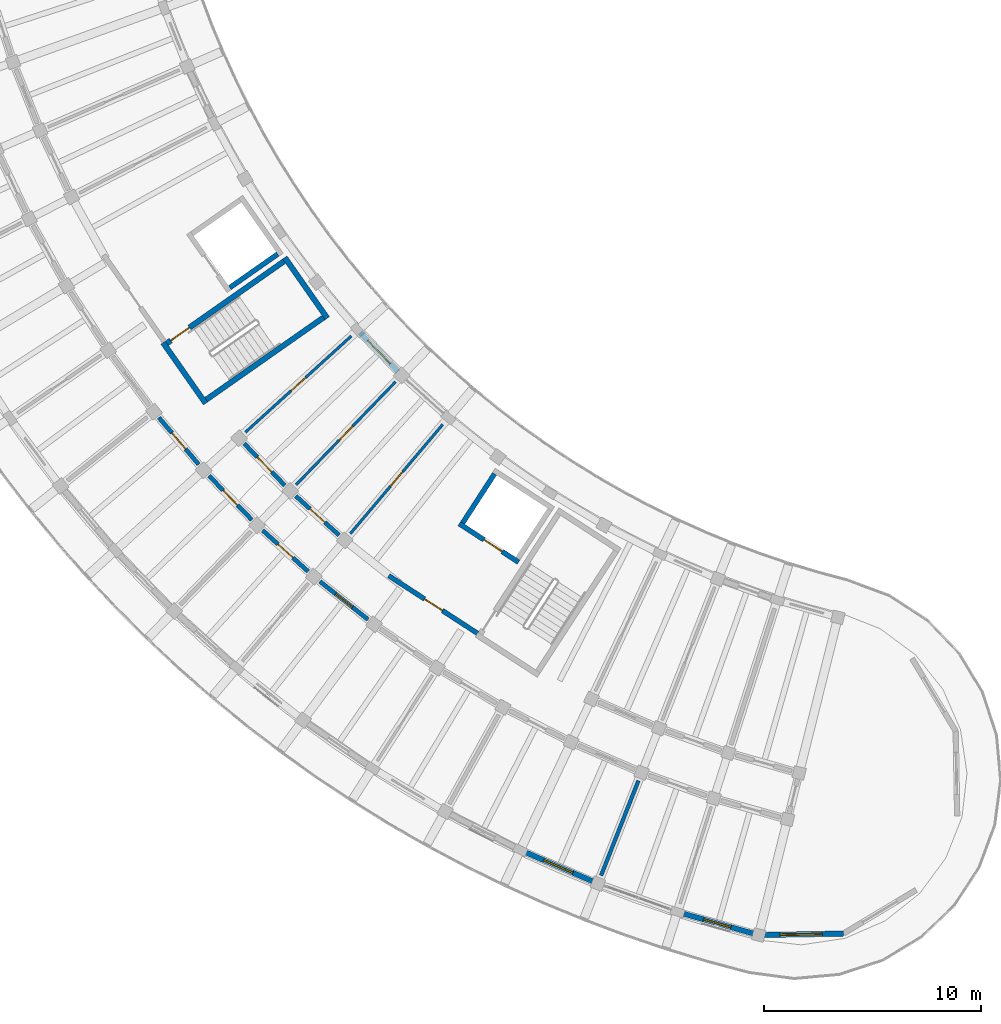
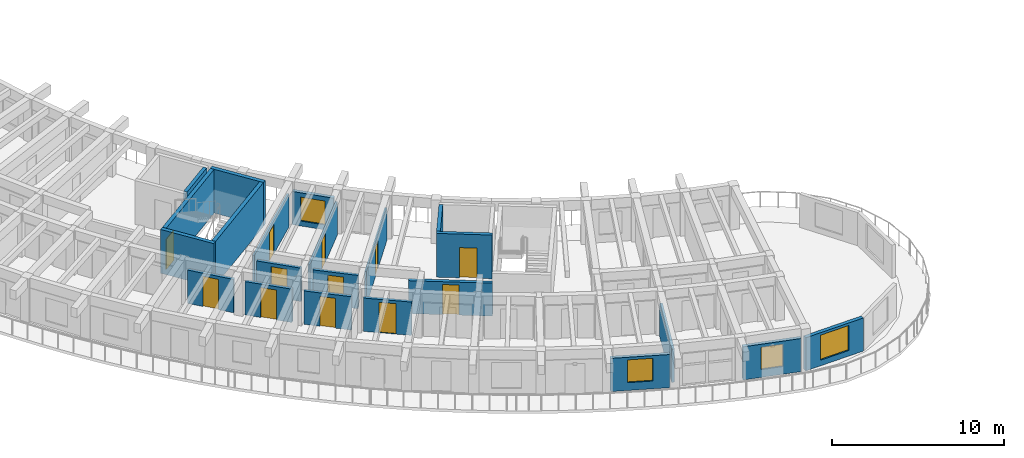
# One storey, part 41 of 81: 22 walls, 12 doors, 4 windows, 16 openings.
"""IFC4 building model written with IfcOpenShell, lengths in metres."""

from ifc_helpers import new_model, si_unit, direction, frame, frame_2d, origin, place, context, subcontext, project, spatial, rectangle, extrude, material, layer, layer_set, type_object, element, fill, save


model = new_model("IFC4")

# Units and contexts
model_context = context("Model", 3, precision=1e-05, world=origin(), true_north=direction((0.0, 1.0)))
body_context = subcontext(model_context, "Body", "Model", "MODEL_VIEW")
ifc_project = project(units=[si_unit("LENGTHUNIT", "METRE"), si_unit("AREAUNIT", "SQUARE_METRE"), si_unit("VOLUMEUNIT", "CUBIC_METRE"), si_unit("PLANEANGLEUNIT", "RADIAN"), si_unit("MASSUNIT", "GRAM", prefix="KILO")], contexts=[model_context])

# Site, building, storey
site_placement = place(None, origin())
site = spatial("IfcSite", under=ifc_project, at=site_placement, CompositionType="ELEMENT")
building_placement = place(site_placement, origin())
building = spatial("IfcBuilding", under=site, at=building_placement, Name="Tanwirah Colonnade Gardens", CompositionType="ELEMENT")
storey_placement = place(building_placement, frame((0.0, 0.0, 18.919921875)))
storey = spatial("IfcBuildingStorey", under=building, at=storey_placement, Name="L05", CompositionType="ELEMENT", Elevation=18.919921875)

# Wall, opening, window
ifc_material_1 = material(Name="Limestone architectural precast concrete C40/50", Category="masonry")
ifc_layer_1 = layer(ifc_material_1, 0.2451171875)
ifc_layer_set_1 = layer_set([ifc_layer_1], Name="Limestone architectural precast concrete C40/50")
wall_type_1 = type_object("IfcWallType", Name="EW-PC245", PredefinedType="SOLIDWALL", material=ifc_layer_set_1)
wall_1_placement = place(storey_placement, frame((32.208740234375, 34.49853515625, 0.0), z_axis=(0.0, 0.0, 1.0), x_axis=(0.696228228984, -0.717820488121, 0.0)))
wall_1 = element("IfcWall", 1, at=wall_1_placement, inside=storey, type_object=wall_type_1, Name="Block C L05 IN Precast Facade Wall 7", PredefinedType="SOLIDWALL", context=body_context, shape_type="SweptSolid", body=[
    extrude(rectangle(XDim=2.498779296875, YDim=0.2451171875, at=frame_2d((1.24951171875, 0.0))), origin(), (0.0, 0.0, 1.0), 2.35498046875),
])
opening_1_placement = place(wall_1_placement, frame((0.49951171875, 0.0, 0.35009765625)))
opening_1 = element("IfcOpeningElement", 2, at=opening_1_placement, cuts=wall_1, Name="Opening WIN-T08", PredefinedType="OPENING", context=body_context, shape_type="SweptSolid", body=[
    extrude(rectangle(XDim=1.5, YDim=1.699951171875, at=frame_2d((0.75, 0.85009765625))), frame((0.0, 0.132568359375, 0.0), z_axis=(0.0, -1.0, 0.0), x_axis=(1.0, 0.0, 0.0)), (0.0, 0.0, 1.0), 0.26513671875),
])
ifc_material_2 = material(Name="Thermally broken bronze aluminium and solar low-E double glazing", Category="aluminium")
window_type_1 = type_object("IfcWindowType", Name="WIN-T08", PartitioningType="DOUBLE_PANEL_VERTICAL", PredefinedType="WINDOW", material=ifc_material_2)
window_1_placement = place(opening_1_placement, origin())
window_1 = element("IfcWindow", 3, at=window_1_placement, inside=storey, type_object=window_type_1, Name="Facade window C-L05-IN-07", OverallHeight=1.699951171875, OverallWidth=1.5, PartitioningType="SINGLE_PANEL", PredefinedType="WINDOW", context=body_context, shape_type="SweptSolid", body=[
    extrude(rectangle(XDim=1.5, YDim=1.699951171875, at=frame_2d((0.75, 0.85009765625))), frame((0.0, 0.030029296875, 0.0), z_axis=(0.0, -1.0, 0.0), x_axis=(1.0, 0.0, 0.0)), (0.0, 0.0, 1.0), 0.06005859375),
])
fill(opening_1, window_1)

wall_2_placement = place(storey_placement, frame((39.74462890625, 10.576171875, 0.0), z_axis=(0.0, 0.0, 1.0), x_axis=(0.917938367037, -0.396723019652, 0.0)))
wall_2 = element("IfcWall", 4, at=wall_2_placement, inside=storey, type_object=wall_type_1, Name="Block C L05 OUT Precast Facade Wall 13", PredefinedType="SOLIDWALL", context=body_context, shape_type="SweptSolid", body=[
    extrude(rectangle(XDim=3.48681640625, YDim=0.2451171875, at=frame_2d((1.743408203125, 0.0))), origin(), (0.0, 0.0, 1.0), 2.35498046875),
])
opening_2_placement = place(wall_2_placement, frame((1.00341796875, 0.0, 0.550048828125)))
opening_2 = element("IfcOpeningElement", 5, at=opening_2_placement, cuts=wall_2, Name="Opening WIN-T19", PredefinedType="OPENING", context=body_context, shape_type="SweptSolid", body=[
    extrude(rectangle(XDim=1.47998046875, YDim=1.6201171875, at=frame_2d((0.739990234375, 0.81005859375))), frame((0.0, 0.132568359375, 0.0), z_axis=(0.0, -1.0, 0.0), x_axis=(1.0, 0.0, 0.0)), (0.0, 0.0, 1.0), 0.26513671875),
])
window_type_2 = type_object("IfcWindowType", Name="WIN-T19", PartitioningType="DOUBLE_PANEL_VERTICAL", PredefinedType="WINDOW", material=ifc_material_2)
window_2_placement = place(opening_2_placement, origin())
window_2 = element("IfcWindow", 6, at=window_2_placement, inside=storey, type_object=window_type_2, Name="Facade window C-L05-OUT-13", OverallHeight=1.6201171875, OverallWidth=1.47998046875, PartitioningType="SINGLE_PANEL", PredefinedType="WINDOW", context=body_context, shape_type="SweptSolid", body=[
    extrude(rectangle(XDim=1.47998046875, YDim=1.6201171875, at=frame_2d((0.739990234375, 0.81005859375))), frame((0.0, 0.030029296875, 0.0), z_axis=(0.0, -1.0, 0.0), x_axis=(1.0, 0.0, 0.0)), (0.0, 0.0, 1.0), 0.06005859375),
])
fill(opening_2, window_2)

wall_3_placement = place(storey_placement, frame((46.999267578125, 7.740966796875, 0.0), z_axis=(0.0, 0.0, 1.0), x_axis=(0.961871954212, -0.2735001713, 0.0)))
wall_3 = element("IfcWall", 7, at=wall_3_placement, inside=storey, type_object=wall_type_1, Name="Block C L05 OUT Precast Facade Wall 15", PredefinedType="SOLIDWALL", context=body_context, shape_type="SweptSolid", body=[
    extrude(rectangle(XDim=3.48681640625, YDim=0.2451171875, at=frame_2d((1.743408203125, 0.0))), origin(), (0.0, 0.0, 1.0), 2.35498046875),
])
opening_3_placement = place(wall_3_placement, frame((1.08349609375, 0.0, 0.550048828125)))
opening_3 = element("IfcOpeningElement", 8, at=opening_3_placement, cuts=wall_3, Name="Opening WIN-U05", PredefinedType="OPENING", context=body_context, shape_type="SweptSolid", body=[
    extrude(rectangle(XDim=1.320068359375, YDim=1.5849609375, at=frame_2d((0.66015625, 0.79248046875))), frame((0.0, 0.132568359375, 0.0), z_axis=(0.0, -1.0, 0.0), x_axis=(1.0, 0.0, 0.0)), (0.0, 0.0, 1.0), 0.26513671875),
])
window_type_3 = type_object("IfcWindowType", Name="WIN-U05", PartitioningType="DOUBLE_PANEL_VERTICAL", PredefinedType="WINDOW", material=ifc_material_2)
window_3_placement = place(opening_3_placement, origin())
window_3 = element("IfcWindow", 9, at=window_3_placement, inside=storey, type_object=window_type_3, Name="Facade window C-L05-OUT-15", OverallHeight=1.5849609375, OverallWidth=1.320068359375, PartitioningType="SINGLE_PANEL", PredefinedType="WINDOW", context=body_context, shape_type="SweptSolid", body=[
    extrude(rectangle(XDim=1.320068359375, YDim=1.5849609375, at=frame_2d((0.66015625, 0.79248046875))), frame((0.0, 0.030029296875, 0.0), z_axis=(0.0, -1.0, 0.0), x_axis=(1.0, 0.0, 0.0)), (0.0, 0.0, 1.0), 0.06005859375),
])
fill(opening_3, window_3)

wall_4_placement = place(storey_placement, frame((54.501220703125, 6.787109375, 0.0), z_axis=(0.0, 0.0, 1.0), x_axis=(-0.999848115368, -0.017428315893, 0.0)))
wall_4 = element("IfcWall", 10, at=wall_4_placement, inside=storey, type_object=wall_type_1, Name="Block C L05 END Rounded End Wall 5", PredefinedType="SOLIDWALL", context=body_context, shape_type="SweptSolid", body=[
    extrude(rectangle(XDim=3.908203125, YDim=0.2451171875, at=frame_2d((1.9541015625, 0.0))), origin(), (0.0, 0.0, 1.0), 2.35498046875),
])
opening_4_placement = place(wall_4_placement, frame((0.97900390625, 0.0, 0.39990234375)))
opening_4 = element("IfcOpeningElement", 11, at=opening_4_placement, cuts=wall_4, Name="Opening WIN-END2", PredefinedType="OPENING", context=body_context, shape_type="SweptSolid", body=[
    extrude(rectangle(XDim=1.949951171875, YDim=1.780029296875, at=frame_2d((0.97509765625, 0.89013671875))), frame((0.0, 0.132568359375, 0.0), z_axis=(0.0, -1.0, 0.0), x_axis=(1.0, 0.0, 0.0)), (0.0, 0.0, 1.0), 0.26513671875),
])
window_type_4 = type_object("IfcWindowType", Name="WIN-END2", PartitioningType="TRIPLE_PANEL_VERTICAL", PredefinedType="WINDOW", material=ifc_material_2)
window_4_placement = place(opening_4_placement, origin())
window_4 = element("IfcWindow", 12, at=window_4_placement, inside=storey, type_object=window_type_4, Name="Rounded corner window C-L05-END-5", OverallHeight=1.780029296875, OverallWidth=1.949951171875, PartitioningType="SINGLE_PANEL", PredefinedType="WINDOW", context=body_context, shape_type="SweptSolid", body=[
    extrude(rectangle(XDim=1.949951171875, YDim=1.780029296875, at=frame_2d((0.97509765625, 0.89013671875))), frame((0.0, 0.030029296875, 0.0), z_axis=(0.0, -1.0, 0.0), x_axis=(1.0, 0.0, 0.0)), (0.0, 0.0, 1.0), 0.06005859375),
])
fill(opening_4, window_4)

# Wall, opening, door
ifc_material_3 = material(Name="Precast concrete C40/50", Category="concrete")
ifc_layer_2 = layer(ifc_material_3, 0.195068359375)
ifc_layer_set_2 = layer_set([ifc_layer_2], Name="Precast concrete C40/50")
wall_type_2 = type_object("IfcWallType", Name="IW-CORR195", PredefinedType="PARTITIONING", material=ifc_layer_set_2)
wall_5_placement = place(storey_placement, frame((22.9267578125, 30.58642578125, 0.0), z_axis=(0.0, 0.0, 1.0), x_axis=(0.64778830669, -0.761820392032, 0.0)))
wall_5 = element("IfcWall", 13, at=wall_5_placement, inside=storey, type_object=wall_type_2, Name="Block C L05 OUT Corridor Wall 6", PredefinedType="PARTITIONING", context=body_context, shape_type="SweptSolid", body=[
    extrude(rectangle(XDim=2.8369140625, YDim=0.195068359375, at=frame_2d((1.41845703125, 0.0))), origin(), (0.0, 0.0, 1.0), 2.3701171875),
])
opening_5_placement = place(wall_5_placement, frame((0.93359375, 0.0, 0.0)))
opening_5 = element("IfcOpeningElement", 14, at=opening_5_placement, cuts=wall_5, Name="Opening L05-AD1480", PredefinedType="OPENING", context=body_context, shape_type="SweptSolid", body=[
    extrude(rectangle(XDim=0.969970703125, YDim=2.14990234375, at=frame_2d((0.48486328125, 1.074951171875))), frame((0.0, 0.107421875, 0.0), z_axis=(0.0, -1.0, 0.0), x_axis=(1.0, 0.0, 0.0)), (0.0, 0.0, 1.0), 0.215087890625),
])
ifc_material_4 = material(Name="Solid oak fire-resisting apartment entrance door")
door_type_1 = type_object("IfcDoorType", Name="ID-FLT097", OperationType="NOTDEFINED", PredefinedType="DOOR", material=ifc_material_4)
door_1_placement = place(opening_5_placement, origin())
door_1 = element("IfcDoor", 15, at=door_1_placement, inside=storey, type_object=door_type_1, Name="Apartment corridor door L05-AD1480", OperationType="SINGLE_SWING_RIGHT", OverallHeight=2.14990234375, OverallWidth=0.969970703125, PredefinedType="DOOR", context=body_context, shape_type="SweptSolid", body=[
    extrude(rectangle(XDim=0.969970703125, YDim=2.14990234375, at=frame_2d((0.48486328125, 1.074951171875))), frame((0.0, 0.02490234375, 0.0), z_axis=(0.0, -1.0, 0.0), x_axis=(1.0, 0.0, 0.0)), (0.0, 0.0, 1.0), 0.050048828125),
])
fill(opening_5, door_1)

wall_6_placement = place(storey_placement, frame((25.23486328125, 27.9072265625, 0.0), z_axis=(0.0, 0.0, 1.0), x_axis=(0.696223786753, -0.717824796701, 0.0)))
wall_6 = element("IfcWall", 16, at=wall_6_placement, inside=storey, type_object=wall_type_2, Name="Block C L05 OUT Corridor Wall 7", PredefinedType="PARTITIONING", context=body_context, shape_type="SweptSolid", body=[
    extrude(rectangle(XDim=2.8369140625, YDim=0.195068359375, at=frame_2d((1.41845703125, 0.0))), origin(), (0.0, 0.0, 1.0), 2.3701171875),
])
opening_6_placement = place(wall_6_placement, frame((0.943603515625, 0.0, 0.0)))
opening_6 = element("IfcOpeningElement", 17, at=opening_6_placement, cuts=wall_6, Name="Opening L05-AD1482", PredefinedType="OPENING", context=body_context, shape_type="SweptSolid", body=[
    extrude(rectangle(XDim=0.949951171875, YDim=2.1298828125, at=frame_2d((0.47509765625, 1.06494140625))), frame((0.0, 0.107421875, 0.0), z_axis=(0.0, -1.0, 0.0), x_axis=(1.0, 0.0, 0.0)), (0.0, 0.0, 1.0), 0.215087890625),
])
door_type_2 = type_object("IfcDoorType", Name="ID-FLT095", OperationType="NOTDEFINED", PredefinedType="DOOR", material=ifc_material_4)
door_2_placement = place(opening_6_placement, origin())
door_2 = element("IfcDoor", 18, at=door_2_placement, inside=storey, type_object=door_type_2, Name="Apartment corridor door L05-AD1482", OperationType="SINGLE_SWING_LEFT", OverallHeight=2.1298828125, OverallWidth=0.949951171875, PredefinedType="DOOR", context=body_context, shape_type="SweptSolid", body=[
    extrude(rectangle(XDim=0.949951171875, YDim=2.1298828125, at=frame_2d((0.47509765625, 1.06494140625))), frame((0.0, 0.02490234375, 0.0), z_axis=(0.0, -1.0, 0.0), x_axis=(1.0, 0.0, 0.0)), (0.0, 0.0, 1.0), 0.050048828125),
])
fill(opening_6, door_2)

wall_7_placement = place(storey_placement, frame((26.86328125, 29.386474609375, 0.0), z_axis=(0.0, 0.0, 1.0), x_axis=(0.696236443412, -0.717812520694, 0.0)))
wall_7 = element("IfcWall", 19, at=wall_7_placement, inside=storey, type_object=wall_type_2, Name="Block C L05 IN Corridor Wall 7", PredefinedType="PARTITIONING", context=body_context, shape_type="SweptSolid", body=[
    extrude(rectangle(XDim=2.693115234375, YDim=0.195068359375, at=frame_2d((1.3466796875, 0.0))), origin(), (0.0, 0.0, 1.0), 2.3701171875),
])
opening_7_placement = place(wall_7_placement, frame((0.87158203125, 0.0, 0.0)))
opening_7 = element("IfcOpeningElement", 20, at=opening_7_placement, cuts=wall_7, Name="Opening L05-AD1483", PredefinedType="OPENING", context=body_context, shape_type="SweptSolid", body=[
    extrude(rectangle(XDim=0.949951171875, YDim=2.1298828125, at=frame_2d((0.47509765625, 1.06494140625))), frame((0.0, 0.107421875, 0.0), z_axis=(0.0, -1.0, 0.0), x_axis=(1.0, 0.0, 0.0)), (0.0, 0.0, 1.0), 0.215087890625),
])
door_3_placement = place(opening_7_placement, origin())
door_3 = element("IfcDoor", 21, at=door_3_placement, inside=storey, type_object=door_type_2, Name="Apartment corridor door L05-AD1483", OperationType="SINGLE_SWING_RIGHT", OverallHeight=2.1298828125, OverallWidth=0.949951171875, PredefinedType="DOOR", context=body_context, shape_type="SweptSolid", body=[
    extrude(rectangle(XDim=0.949951171875, YDim=2.1298828125, at=frame_2d((0.47509765625, 1.06494140625))), frame((0.0, 0.02490234375, 0.0), z_axis=(0.0, -1.0, 0.0), x_axis=(1.0, 0.0, 0.0)), (0.0, 0.0, 1.0), 0.050048828125),
])
fill(opening_7, door_3)

wall_8_placement = place(storey_placement, frame((27.71337890625, 25.385009765625, 0.0), z_axis=(0.0, 0.0, 1.0), x_axis=(0.741631592147, -0.670807410163, 0.0)))
wall_8 = element("IfcWall", 22, at=wall_8_placement, inside=storey, type_object=wall_type_2, Name="Block C L05 OUT Corridor Wall 8", PredefinedType="PARTITIONING", context=body_context, shape_type="SweptSolid", body=[
    extrude(rectangle(XDim=2.8369140625, YDim=0.195068359375, at=frame_2d((1.41845703125, 0.0))), origin(), (0.0, 0.0, 1.0), 2.3701171875),
])
opening_8_placement = place(wall_8_placement, frame((0.95361328125, 0.0, 0.0)))
opening_8 = element("IfcOpeningElement", 23, at=opening_8_placement, cuts=wall_8, Name="Opening L05-AD1485", PredefinedType="OPENING", context=body_context, shape_type="SweptSolid", body=[
    extrude(rectangle(XDim=0.929931640625, YDim=2.1201171875, at=frame_2d((0.46484375, 1.06005859375))), frame((0.0, 0.107421875, 0.0), z_axis=(0.0, -1.0, 0.0), x_axis=(1.0, 0.0, 0.0)), (0.0, 0.0, 1.0), 0.215087890625),
])
door_type_3 = type_object("IfcDoorType", Name="ID-FLT093", OperationType="NOTDEFINED", PredefinedType="DOOR", material=ifc_material_4)
door_4_placement = place(opening_8_placement, origin())
door_4 = element("IfcDoor", 24, at=door_4_placement, inside=storey, type_object=door_type_3, Name="Apartment corridor door L05-AD1485", OperationType="SINGLE_SWING_RIGHT", OverallHeight=2.1201171875, OverallWidth=0.929931640625, PredefinedType="DOOR", context=body_context, shape_type="SweptSolid", body=[
    extrude(rectangle(XDim=0.929931640625, YDim=2.1201171875, at=frame_2d((0.46484375, 1.06005859375))), frame((0.0, 0.02490234375, 0.0), z_axis=(0.0, -1.0, 0.0), x_axis=(1.0, 0.0, 0.0)), (0.0, 0.0, 1.0), 0.050048828125),
])
fill(opening_8, door_4)

wall_9_placement = place(storey_placement, frame((29.241455078125, 26.967529296875, 0.0), z_axis=(0.0, 0.0, 1.0), x_axis=(0.74166462946, -0.670770882945, 0.0)))
wall_9 = element("IfcWall", 25, at=wall_9_placement, inside=storey, type_object=wall_type_2, Name="Block C L05 IN Corridor Wall 8", PredefinedType="PARTITIONING", context=body_context, shape_type="SweptSolid", body=[
    extrude(rectangle(XDim=2.693115234375, YDim=0.195068359375, at=frame_2d((1.3466796875, 0.0))), origin(), (0.0, 0.0, 1.0), 2.3701171875),
])
opening_9_placement = place(wall_9_placement, frame((0.881591796875, 0.0, 0.0)))
opening_9 = element("IfcOpeningElement", 26, at=opening_9_placement, cuts=wall_9, Name="Opening L05-AD1486", PredefinedType="OPENING", context=body_context, shape_type="SweptSolid", body=[
    extrude(rectangle(XDim=0.929931640625, YDim=2.1201171875, at=frame_2d((0.46484375, 1.06005859375))), frame((0.0, 0.107421875, 0.0), z_axis=(0.0, -1.0, 0.0), x_axis=(1.0, 0.0, 0.0)), (0.0, 0.0, 1.0), 0.215087890625),
])
door_5_placement = place(opening_9_placement, origin())
door_5 = element("IfcDoor", 27, at=door_5_placement, inside=storey, type_object=door_type_3, Name="Apartment corridor door L05-AD1486", OperationType="SINGLE_SWING_LEFT", OverallHeight=2.1201171875, OverallWidth=0.929931640625, PredefinedType="DOOR", context=body_context, shape_type="SweptSolid", body=[
    extrude(rectangle(XDim=0.929931640625, YDim=2.1201171875, at=frame_2d((0.46484375, 1.06005859375))), frame((0.0, 0.02490234375, 0.0), z_axis=(0.0, -1.0, 0.0), x_axis=(1.0, 0.0, 0.0)), (0.0, 0.0, 1.0), 0.050048828125),
])
fill(opening_9, door_5)

wall_10_placement = place(storey_placement, frame((30.351318359375, 23.030029296875, 0.0), z_axis=(0.0, 0.0, 1.0), x_axis=(0.783965548427, -0.620804332201, 0.0)))
wall_10 = element("IfcWall", 28, at=wall_10_placement, inside=storey, type_object=wall_type_2, Name="Block C L05 OUT Corridor Wall 9", PredefinedType="PARTITIONING", context=body_context, shape_type="SweptSolid", body=[
    extrude(rectangle(XDim=2.8369140625, YDim=0.195068359375, at=frame_2d((1.41845703125, 0.0))), origin(), (0.0, 0.0, 1.0), 2.3701171875),
])
opening_10_placement = place(wall_10_placement, frame((0.923583984375, 0.0, 0.0)))
opening_10 = element("IfcOpeningElement", 29, at=opening_10_placement, cuts=wall_10, Name="Opening L05-AD1489", PredefinedType="OPENING", context=body_context, shape_type="SweptSolid", body=[
    extrude(rectangle(XDim=0.989990234375, YDim=2.159912109375, at=frame_2d((0.4951171875, 1.080078125))), frame((0.0, 0.107421875, 0.0), z_axis=(0.0, -1.0, 0.0), x_axis=(1.0, 0.0, 0.0)), (0.0, 0.0, 1.0), 0.215087890625),
])
door_type_4 = type_object("IfcDoorType", Name="ID-FLT099", OperationType="NOTDEFINED", PredefinedType="DOOR", material=ifc_material_4)
door_6_placement = place(opening_10_placement, origin())
door_6 = element("IfcDoor", 30, at=door_6_placement, inside=storey, type_object=door_type_4, Name="Apartment corridor door L05-AD1489", OperationType="SINGLE_SWING_LEFT", OverallHeight=2.159912109375, OverallWidth=0.989990234375, PredefinedType="DOOR", context=body_context, shape_type="SweptSolid", body=[
    extrude(rectangle(XDim=0.989990234375, YDim=2.159912109375, at=frame_2d((0.4951171875, 1.080078125))), frame((0.0, 0.02490234375, 0.0), z_axis=(0.0, -1.0, 0.0), x_axis=(1.0, 0.0, 0.0)), (0.0, 0.0, 1.0), 0.050048828125),
])
fill(opening_10, door_6)

# Wall
ifc_layer_3 = layer(ifc_material_3, 0.175048828125)
ifc_layer_set_3 = layer_set([ifc_layer_3], Name="Precast concrete C40/50")
wall_type_3 = type_object("IfcWallType", Name="IW-DEM175", PredefinedType="PARTITIONING", material=ifc_layer_set_3)
wall_11_placement = place(storey_placement, frame((45.0439453125, 13.8388671875, 0.0), z_axis=(0.0, 0.0, 1.0), x_axis=(-0.366468650514, -0.930430399434, 0.0)))
element("IfcWall", 31, at=wall_11_placement, inside=storey, type_object=wall_type_3, Name="Block C L05 Radial Partition 13", PredefinedType="PARTITIONING", context=body_context, shape_type="SweptSolid", body=[
    extrude(rectangle(XDim=4.699951171875, YDim=0.175048828125, at=frame_2d((2.35009765625, 0.0))), origin(), (0.0, 0.0, 1.0), 2.3701171875),
])

# Wall, opening, door
ifc_material_5 = material(Name="Autoclaved aerated masonry blockwork", Category="masonry")
ifc_layer_4 = layer(ifc_material_5, 0.219970703125)
ifc_layer_set_4 = layer_set([ifc_layer_4], Name="Autoclaved aerated masonry blockwork")
wall_type_4 = type_object("IfcWallType", Name="IW-FFL220", PredefinedType="PARTITIONING", material=ifc_layer_set_4)
wall_12_placement = place(storey_placement, frame((37.638916015625, 20.623291015625, 0.0), z_axis=(0.0, 0.0, 1.0), x_axis=(-0.838681446513, 0.544622283124, 0.0)))
wall_12 = element("IfcWall", 32, at=wall_12_placement, inside=storey, type_object=wall_type_4, Name="CORE-C2 L05 Enclosed Lobby Fire Wall", PredefinedType="PARTITIONING", context=body_context, shape_type="SweptSolid", body=[
    extrude(rectangle(XDim=4.900146484375, YDim=0.219970703125, at=frame_2d((2.4501953125, 0.0))), origin(), (0.0, 0.0, 1.0), 2.340087890625),
])
opening_11_placement = place(wall_12_placement, frame((1.949951171875, 0.0, 0.0)))
opening_11 = element("IfcOpeningElement", 33, at=opening_11_placement, cuts=wall_12, Name="Opening L05-LD163", PredefinedType="OPENING", context=body_context, shape_type="SweptSolid", body=[
    extrude(rectangle(XDim=0.97998046875, YDim=2.139892578125, at=frame_2d((0.489990234375, 1.06982421875))), frame((0.0, 0.119873046875, 0.0), z_axis=(0.0, -1.0, 0.0), x_axis=(1.0, 0.0, 0.0)), (0.0, 0.0, 1.0), 0.239990234375),
])
ifc_material_6 = material(Name="Acoustic fire-resisting lobby door")
door_type_5 = type_object("IfcDoorType", Name="ID-FFL098", OperationType="NOTDEFINED", PredefinedType="DOOR", material=ifc_material_6)
door_7_placement = place(opening_11_placement, origin())
door_7 = element("IfcDoor", 34, at=door_7_placement, inside=storey, type_object=door_type_5, Name="CORE-C2 L05 Lobby Fire Door L05-LD163", OperationType="SINGLE_SWING_RIGHT", OverallHeight=2.139892578125, OverallWidth=0.97998046875, PredefinedType="DOOR", context=body_context, shape_type="SweptSolid", body=[
    extrude(rectangle(XDim=0.97998046875, YDim=2.139892578125, at=frame_2d((0.489990234375, 1.06982421875))), frame((0.0, 0.02490234375, 0.0), z_axis=(0.0, -1.0, 0.0), x_axis=(1.0, 0.0, 0.0)), (0.0, 0.0, 1.0), 0.050048828125),
])
fill(opening_11, door_7)

ifc_material_7 = material(Name="Moisture-resistant gypsum stud partition")
ifc_layer_5 = layer(ifc_material_7, 0.125)
ifc_layer_set_5 = layer_set([ifc_layer_5], Name="Moisture-resistant gypsum stud partition")
wall_type_5 = type_object("IfcWallType", Name="IW-INT125", PredefinedType="PARTITIONING", material=ifc_layer_set_5)
wall_13_placement = place(storey_placement, frame((31.80126953125, 34.34423828125, 0.0), z_axis=(0.0, 0.0, 1.0), x_axis=(-0.74023124711, -0.672352363573, 0.0)))
wall_13 = element("IfcWall", 35, at=wall_13_placement, inside=storey, type_object=wall_type_5, Name="Block C L05 Inner Radial Partition 6", PredefinedType="PARTITIONING", context=body_context, shape_type="SweptSolid", body=[
    extrude(rectangle(XDim=6.599853515625, YDim=0.125, at=frame_2d((3.2998046875, 0.0))), origin(), (0.0, 0.0, 1.0), 2.3701171875),
])
opening_12_placement = place(wall_13_placement, frame((2.844970703125, 0.0, 0.0)))
opening_12 = element("IfcOpeningElement", 36, at=opening_12_placement, cuts=wall_13, Name="Opening L05-RD1481", PredefinedType="OPENING", context=body_context, shape_type="SweptSolid", body=[
    extrude(rectangle(XDim=0.909912109375, YDim=2.10009765625, at=frame_2d((0.455078125, 1.050048828125))), frame((0.0, 0.072509765625, 0.0), z_axis=(0.0, -1.0, 0.0), x_axis=(1.0, 0.0, 0.0)), (0.0, 0.0, 1.0), 0.14501953125),
])
ifc_material_8 = material(Name="Painted hardwood internal room door", Category="wood")
door_type_6 = type_object("IfcDoorType", Name="ID-RM091", OperationType="NOTDEFINED", PredefinedType="DOOR", material=ifc_material_8)
door_8_placement = place(opening_12_placement, origin())
door_8 = element("IfcDoor", 37, at=door_8_placement, inside=storey, type_object=door_type_6, Name="Internal apartment door L05-RD1481", OperationType="SINGLE_SWING_LEFT", OverallHeight=2.10009765625, OverallWidth=0.909912109375, PredefinedType="DOOR", context=body_context, shape_type="SweptSolid", body=[
    extrude(rectangle(XDim=0.909912109375, YDim=2.10009765625, at=frame_2d((0.455078125, 1.050048828125))), frame((0.0, 0.02490234375, 0.0), z_axis=(0.0, -1.0, 0.0), x_axis=(1.0, 0.0, 0.0)), (0.0, 0.0, 1.0), 0.050048828125),
])
fill(opening_12, door_8)

wall_14_placement = place(storey_placement, frame((33.844482421875, 32.237548828125, 0.0), z_axis=(0.0, 0.0, 1.0), x_axis=(-0.69466250658, -0.71933580611, 0.0)))
wall_14 = element("IfcWall", 38, at=wall_14_placement, inside=storey, type_object=wall_type_5, Name="Block C L05 Inner Radial Partition 7", PredefinedType="PARTITIONING", context=body_context, shape_type="SweptSolid", body=[
    extrude(rectangle(XDim=6.599853515625, YDim=0.125, at=frame_2d((3.2998046875, 0.0))), origin(), (0.0, 0.0, 1.0), 2.3701171875),
])
opening_13_placement = place(wall_14_placement, frame((2.85498046875, 0.0, 0.0)))
opening_13 = element("IfcOpeningElement", 39, at=opening_13_placement, cuts=wall_14, Name="Opening L05-RD1484", PredefinedType="OPENING", context=body_context, shape_type="SweptSolid", body=[
    extrude(rectangle(XDim=0.889892578125, YDim=2.10009765625, at=frame_2d((0.44482421875, 1.050048828125))), frame((0.0, 0.072509765625, 0.0), z_axis=(0.0, -1.0, 0.0), x_axis=(1.0, 0.0, 0.0)), (0.0, 0.0, 1.0), 0.14501953125),
])
ifc_material_9 = material(Name="Painted hardwood bedroom door", Category="wood")
door_type_7 = type_object("IfcDoorType", Name="ID-RM089", OperationType="NOTDEFINED", PredefinedType="DOOR", material=ifc_material_9)
door_9_placement = place(opening_13_placement, origin())
door_9 = element("IfcDoor", 40, at=door_9_placement, inside=storey, type_object=door_type_7, Name="Internal apartment door L05-RD1484", OperationType="SINGLE_SWING_RIGHT", OverallHeight=2.10009765625, OverallWidth=0.889892578125, PredefinedType="DOOR", context=body_context, shape_type="SweptSolid", body=[
    extrude(rectangle(XDim=0.889892578125, YDim=2.10009765625, at=frame_2d((0.44482421875, 1.050048828125))), frame((0.0, 0.02490234375, 0.0), z_axis=(0.0, -1.0, 0.0), x_axis=(1.0, 0.0, 0.0)), (0.0, 0.0, 1.0), 0.050048828125),
])
fill(opening_13, door_9)

wall_15_placement = place(storey_placement, frame((36.021240234375, 30.26904296875, 0.0), z_axis=(0.0, 0.0, 1.0), x_axis=(-0.646121311019, -0.763234728932, 0.0)))
wall_15 = element("IfcWall", 41, at=wall_15_placement, inside=storey, type_object=wall_type_5, Name="Block C L05 Inner Radial Partition 8", PredefinedType="PARTITIONING", context=body_context, shape_type="SweptSolid", body=[
    extrude(rectangle(XDim=6.60009765625, YDim=0.125, at=frame_2d((3.300048828125, 0.0))), origin(), (0.0, 0.0, 1.0), 2.3701171875),
])
opening_14_placement = place(wall_15_placement, frame((2.864990234375, 0.0, 0.0)))
opening_14 = element("IfcOpeningElement", 42, at=opening_14_placement, cuts=wall_15, Name="Opening L05-RD1488", PredefinedType="OPENING", context=body_context, shape_type="SweptSolid", body=[
    extrude(rectangle(XDim=0.8701171875, YDim=2.080078125, at=frame_2d((0.43505859375, 1.0400390625))), frame((0.0, 0.072509765625, 0.0), z_axis=(0.0, -1.0, 0.0), x_axis=(1.0, 0.0, 0.0)), (0.0, 0.0, 1.0), 0.14501953125),
])
ifc_material_10 = material(Name="Painted hardwood study door", Category="wood")
door_type_8 = type_object("IfcDoorType", Name="ID-RM087", OperationType="NOTDEFINED", PredefinedType="DOOR", material=ifc_material_10)
door_10_placement = place(opening_14_placement, origin())
door_10 = element("IfcDoor", 43, at=door_10_placement, inside=storey, type_object=door_type_8, Name="Internal apartment door L05-RD1488", OperationType="SINGLE_SWING_LEFT", OverallHeight=2.080078125, OverallWidth=0.8701171875, PredefinedType="DOOR", context=body_context, shape_type="SweptSolid", body=[
    extrude(rectangle(XDim=0.8701171875, YDim=2.080078125, at=frame_2d((0.43505859375, 1.0400390625))), frame((0.0, 0.02490234375, 0.0), z_axis=(0.0, -1.0, 0.0), x_axis=(1.0, 0.0, 0.0)), (0.0, 0.0, 1.0), 0.050048828125),
])
fill(opening_14, door_10)

# Walls
ifc_material_11 = material(Name="Concrete C45/55", Category="concrete")
ifc_layer_6 = layer(ifc_material_11, 0.25)
ifc_layer_set_6 = layer_set([ifc_layer_6], Name="Concrete C45/55")
wall_type_6 = type_object("IfcWallType", Name="SW-CORE250", PredefinedType="SHEAR", material=ifc_layer_set_6)
wall_16_placement = place(storey_placement, frame((25.1142578125, 31.413818359375, 0.0), z_axis=(0.0, 0.0, 1.0), x_axis=(0.819141541656, 0.573591435374, 0.0)))
element("IfcWall", 44, at=wall_16_placement, inside=storey, type_object=wall_type_6, Name="CORE-C1 L05 Stair Shaft Shear Wall LEFT", PredefinedType="SHEAR", context=body_context, shape_type="SweptSolid", body=[
    extrude(rectangle(XDim=6.599853515625, YDim=0.25, at=frame_2d((3.2998046875, 0.0))), origin(), (0.0, 0.0, 1.0), 3.110107421875),
])
for number, where, z_axis, x_axis, name in (
    (45, (30.694580078125, 35.168701171875, 0.0), (0.0, 0.0, 1.0), (-0.573582112484, 0.819148069789, 0.0), "CORE-C1 L05 Stair Shaft Shear Wall FAR"),
    (46, (25.08349609375, 31.23974609375, 0.0), (0.0, 0.0, 1.0), (-0.573582112484, 0.819148069789, 0.0), "CORE-C1 L05 Stair Shaft Shear Wall NEAR"),
):
    element("IfcWall", number, at=place(storey_placement, frame(where, z_axis=z_axis, x_axis=x_axis)), inside=storey, type_object=wall_type_6, Name=name, PredefinedType="SHEAR", context=body_context, shape_type="SweptSolid", body=[
        extrude(rectangle(XDim=3.419921875, YDim=0.25, at=frame_2d((1.7099609375, 0.0))), origin(), (0.0, 0.0, 1.0), 3.110107421875),
    ])

# Wall, opening, door
wall_17_placement = place(storey_placement, frame((23.2958984375, 34.010498046875, 0.0), z_axis=(0.0, 0.0, 1.0), x_axis=(0.819153711596, 0.573574055182, 0.0)))
wall_17 = element("IfcWall", 47, at=wall_17_placement, inside=storey, type_object=wall_type_6, Name="CORE-C1 L05 Stair Shaft Shear Wall RIGHT", PredefinedType="SHEAR", context=body_context, shape_type="SweptSolid", body=[
    extrude(rectangle(XDim=6.60009765625, YDim=0.25, at=frame_2d((3.300048828125, 0.0))), origin(), (0.0, 0.0, 1.0), 3.110107421875),
])
opening_15_placement = place(wall_17_placement, frame((0.219970703125, 0.0, 0.0)))
opening_15 = element("IfcOpeningElement", 48, at=opening_15_placement, cuts=wall_17, Name="Opening L05-SD127", PredefinedType="OPENING", context=body_context, shape_type="SweptSolid", body=[
    extrude(rectangle(XDim=1.050048828125, YDim=2.14990234375, at=frame_2d((0.52490234375, 1.074951171875))), frame((0.0, 0.135009765625, 0.0), z_axis=(0.0, -1.0, 0.0), x_axis=(1.0, 0.0, 0.0)), (0.0, 0.0, 1.0), 0.27001953125),
])
ifc_material_12 = material(Name="Steel fire-resisting stair enclosure door", Category="steel")
door_type_9 = type_object("IfcDoorType", Name="ID-ST105", OperationType="NOTDEFINED", PredefinedType="DOOR", material=ifc_material_12)
door_11_placement = place(opening_15_placement, origin())
door_11 = element("IfcDoor", 49, at=door_11_placement, inside=storey, type_object=door_type_9, Name="CORE-C1 L05 Stair Fire Door L05-SD127", OperationType="SINGLE_SWING_RIGHT", OverallHeight=2.14990234375, OverallWidth=1.050048828125, PredefinedType="DOOR", context=body_context, shape_type="SweptSolid", body=[
    extrude(rectangle(XDim=1.050048828125, YDim=2.14990234375, at=frame_2d((0.52490234375, 1.074951171875))), frame((0.0, 0.02490234375, 0.0), z_axis=(0.0, -1.0, 0.0), x_axis=(1.0, 0.0, 0.0)), (0.0, 0.0, 1.0), 0.050048828125),
])
fill(opening_15, door_11)

# Wall
ifc_layer_7 = layer(ifc_material_11, 0.22998046875)
ifc_layer_set_7 = layer_set([ifc_layer_7], Name="Concrete C45/55")
wall_type_7 = type_object("IfcWallType", Name="SW-LIFT230", PredefinedType="SHEAR", material=ifc_layer_set_7)
wall_18_placement = place(storey_placement, frame((26.197265625, 36.579345703125, 0.0), z_axis=(0.0, 0.0, 1.0), x_axis=(0.819159695432, 0.573565509231, 0.0)))
element("IfcWall", 50, at=wall_18_placement, inside=storey, type_object=wall_type_7, Name="CORE-C1 L05 Lift Shaft Wall SIDEA", PredefinedType="SHEAR", context=body_context, shape_type="SweptSolid", body=[
    extrude(rectangle(XDim=2.699951171875, YDim=0.22998046875, at=frame_2d((1.35009765625, 0.0))), origin(), (0.0, 0.0, 1.0), 3.110107421875),
])

# Wall, opening, door
wall_19_placement = place(storey_placement, frame((39.515869140625, 23.91748046875, 0.0), z_axis=(0.0, 0.0, 1.0), x_axis=(-0.838660840752, 0.544654013286, 0.0)))
wall_19 = element("IfcWall", 51, at=wall_19_placement, inside=storey, type_object=wall_type_7, Name="CORE-C2 L05 Lift Shaft Wall FRONT", PredefinedType="SHEAR", context=body_context, shape_type="SweptSolid", body=[
    extrude(rectangle(XDim=3.260009765625, YDim=0.22998046875, at=frame_2d((1.6298828125, 0.0))), origin(), (0.0, 0.0, 1.0), 3.110107421875),
])
opening_16_placement = place(wall_19_placement, frame((0.89990234375, 0.0, 0.0)))
opening_16 = element("IfcOpeningElement", 52, at=opening_16_placement, cuts=wall_19, Name="Opening L05-LD-PL-C2", PredefinedType="OPENING", context=body_context, shape_type="SweptSolid", body=[
    extrude(rectangle(XDim=1.0, YDim=2.14990234375, at=frame_2d((0.5, 1.074951171875))), frame((0.0, 0.125, 0.0), z_axis=(0.0, -1.0, 0.0), x_axis=(1.0, 0.0, 0.0)), (0.0, 0.0, 1.0), 0.25),
])
ifc_material_13 = material(Name="Bronze stainless steel sliding lift landing door", Category="steel")
door_type_10 = type_object("IfcDoorType", Name="LD-PS10", OperationType="DOUBLE_DOOR_SLIDING", PredefinedType="DOOR", material=ifc_material_13)
door_12_placement = place(opening_16_placement, origin())
door_12 = element("IfcDoor", 53, at=door_12_placement, inside=storey, type_object=door_type_10, Name="Lift PL-C2 L05 Sliding Landing Door", OperationType="DOUBLE_DOOR_SLIDING", OverallHeight=2.14990234375, OverallWidth=1.0, PredefinedType="DOOR", context=body_context, shape_type="SweptSolid", body=[
    extrude(rectangle(XDim=1.0, YDim=2.14990234375, at=frame_2d((0.5, 1.074951171875))), frame((0.0, 0.02490234375, 0.0), z_axis=(0.0, -1.0, 0.0), x_axis=(1.0, 0.0, 0.0)), (0.0, 0.0, 1.0), 0.050048828125),
])
fill(opening_16, door_12)

# Wall
wall_20_placement = place(storey_placement, frame((36.94091796875, 25.726806640625, 0.0), z_axis=(0.0, 0.0, 1.0), x_axis=(0.544622789439, 0.838681117722, 0.0)))
element("IfcWall", 54, at=wall_20_placement, inside=storey, type_object=wall_type_7, Name="CORE-C2 L05 Lift Shaft Wall SIDEB", PredefinedType="SHEAR", context=body_context, shape_type="SweptSolid", body=[
    extrude(rectangle(XDim=2.699951171875, YDim=0.22998046875, at=frame_2d((1.35009765625, 0.0))), origin(), (0.0, 0.0, 1.0), 3.110107421875),
])

save(model, "model.ifc")
